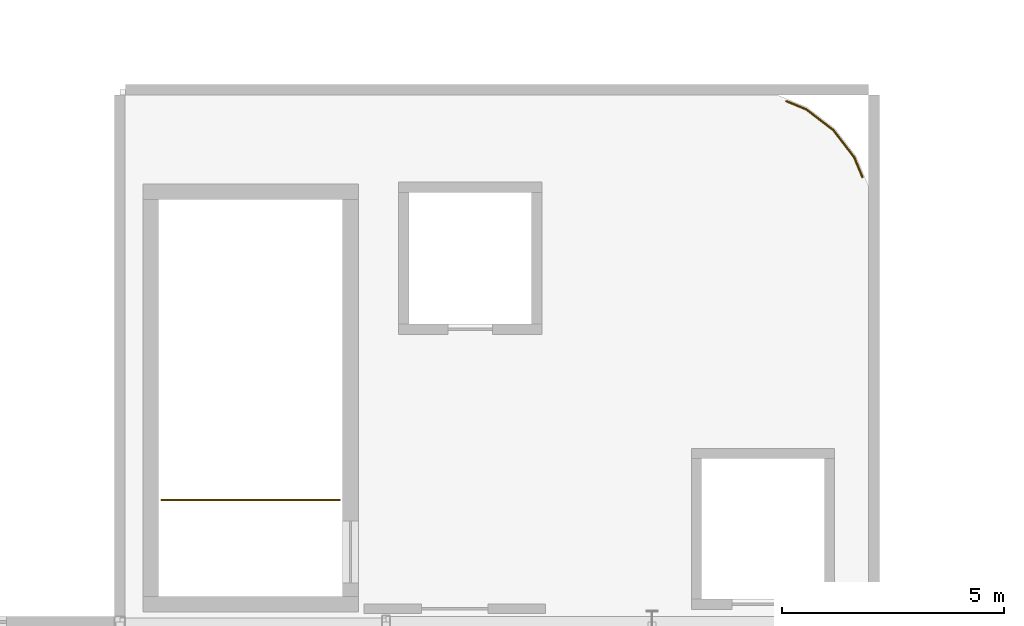
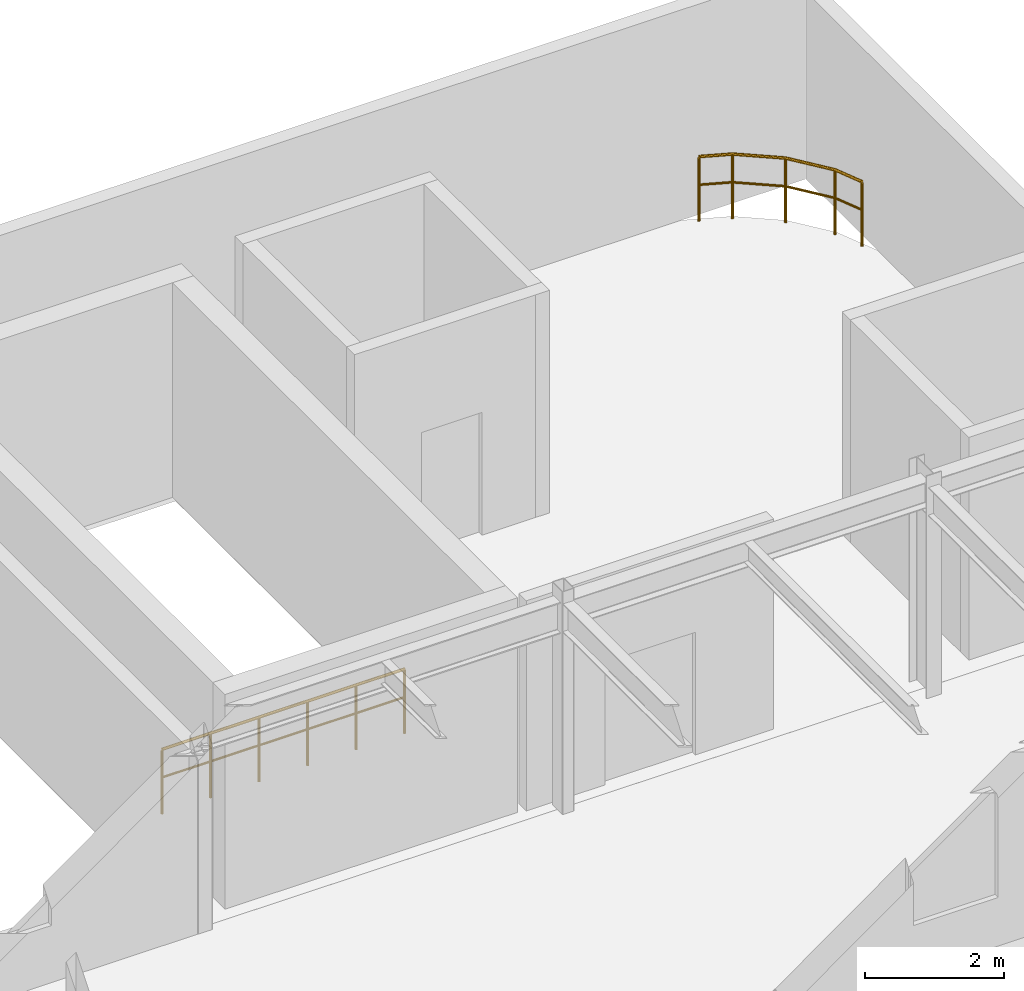
# One storey, part 60 of 63: 2 railings.
"""IFC4 building model written with IfcOpenShell, lengths in metres."""

from ifc_helpers import new_model, si_unit, direction, frame, origin, origin_2d, place, context, subcontext, project, spatial, circle, extrude, material, type_object, element, save


model = new_model("IFC4")

# Units and contexts
model_context = context("Model", 3, precision=1e-05, world=origin(), true_north=direction((0.0, 1.0)))
body_context = subcontext(model_context, "Body", "Model", "MODEL_VIEW")
ifc_project = project(units=[si_unit("LENGTHUNIT", "METRE"), si_unit("AREAUNIT", "SQUARE_METRE"), si_unit("VOLUMEUNIT", "CUBIC_METRE"), si_unit("PLANEANGLEUNIT", "RADIAN"), si_unit("MASSUNIT", "GRAM", prefix="KILO")], contexts=[model_context])

# Site, building, storey
site_placement = place(None, origin())
site = spatial("IfcSite", under=ifc_project, at=site_placement, CompositionType="ELEMENT")
building_placement = place(site_placement, origin())
building = spatial("IfcBuilding", under=site, at=building_placement, Name="Varnakota Square Police Headquarters", CompositionType="ELEMENT")
storey_placement = place(building_placement, frame((0.0, 0.0, 22.199951171875)))
storey = spatial("IfcBuildingStorey", under=building, at=storey_placement, Name="L05", CompositionType="ELEMENT", Elevation=22.199951171875)

# Railings
ifc_material_1 = material(Name="Galvanised Powder-Coated Steel Guardrail", Category="steel")
railing_type_1 = type_object("IfcRailingType", Name="RL-BAL-1150", PredefinedType="BALUSTRADE", material=ifc_material_1)
railing_1_placement = place(storey_placement, frame((33.02685546875, 74.739990234375, 0.0)))
element("IfcRailing", 1, at=railing_1_placement, inside=storey, type_object=railing_type_1, Name="Perimeter edge safety guard GD-AUTO-L05-089", PredefinedType="BALUSTRADE", context=body_context, shape_type="SweptSolid", body=[
    extrude(circle(Radius=0.02392578125, at=origin_2d()), frame((0.0, 0.0, 1.1259765625), z_axis=(0.923894108428, -0.382648241093, 0.0), x_axis=(0.382648241093, 0.923894108428, 0.0)), (0.0, 0.0, 1.0), 0.48486328125),
    extrude(circle(Radius=0.01806640625, at=origin_2d()), frame((0.0, 0.0, 0.63232421875), z_axis=(0.923894108428, -0.382648241093, 0.0), x_axis=(0.382648241093, 0.923894108428, 0.0)), (0.0, 0.0, 1.0), 0.48486328125),
    extrude(circle(Radius=0.02392578125, at=origin_2d()), frame((0.447998046875, -0.185546875, 1.1259765625), z_axis=(0.793330694412, -0.608790940556, 0.0), x_axis=(0.608790940556, 0.793330694412, 0.0)), (0.0, 0.0, 1.0), 0.77001953125),
    extrude(circle(Radius=0.01806640625, at=origin_2d()), frame((0.447998046875, -0.185546875, 0.63232421875), z_axis=(0.793330694412, -0.608790940556, 0.0), x_axis=(0.608790940556, 0.793330694412, 0.0)), (0.0, 0.0, 1.0), 0.77001953125),
    extrude(circle(Radius=0.02392578125, at=origin_2d()), frame((1.058837890625, -0.654296875, 1.1259765625), z_axis=(0.608790940556, -0.793330694412, 0.0), x_axis=(0.793330694412, 0.608790940556, 0.0)), (0.0, 0.0, 1.0), 0.77001953125),
    extrude(circle(Radius=0.01806640625, at=origin_2d()), frame((1.058837890625, -0.654296875, 0.63232421875), z_axis=(0.608790940556, -0.793330694412, 0.0), x_axis=(0.793330694412, 0.608790940556, 0.0)), (0.0, 0.0, 1.0), 0.77001953125),
    extrude(circle(Radius=0.02392578125, at=origin_2d()), frame((1.527587890625, -1.26513671875, 1.1259765625), z_axis=(0.382648241093, -0.923894108428, 0.0), x_axis=(0.923894108428, 0.382648241093, 0.0)), (0.0, 0.0, 1.0), 0.48486328125),
    extrude(circle(Radius=0.01806640625, at=origin_2d()), frame((1.527587890625, -1.26513671875, 0.63232421875), z_axis=(0.382648241093, -0.923894108428, 0.0), x_axis=(0.923894108428, 0.382648241093, 0.0)), (0.0, 0.0, 1.0), 0.48486328125),
    extrude(circle(Radius=0.02099609375, at=origin_2d()), origin(), (0.0, 0.0, 1.0), 1.101806640625),
    extrude(circle(Radius=0.02099609375, at=origin_2d()), frame((0.447998046875, -0.185546875, 0.0)), (0.0, 0.0, 1.0), 1.101806640625),
    extrude(circle(Radius=0.02099609375, at=origin_2d()), frame((1.058837890625, -0.654296875, 0.0)), (0.0, 0.0, 1.0), 1.101806640625),
    extrude(circle(Radius=0.02099609375, at=origin_2d()), frame((1.527587890625, -1.26513671875, 0.0)), (0.0, 0.0, 1.0), 1.101806640625),
    extrude(circle(Radius=0.02099609375, at=origin_2d()), frame((1.713134765625, -1.713134765625, 0.0)), (0.0, 0.0, 1.0), 1.101806640625),
])
ifc_material_2 = material(Name="Laminated Glass and Stainless Steel Balustrade", Category="steel")
railing_type_2 = type_object("IfcRailingType", Name="RL-INT-1150", PredefinedType="BALUSTRADE", material=ifc_material_2)
railing_2_placement = place(storey_placement, frame((18.93994140625, 65.75, 0.0)))
element("IfcRailing", 2, at=railing_2_placement, inside=storey, type_object=railing_type_2, Name="Stair well safety guard C5 L05", PredefinedType="BALUSTRADE", context=body_context, shape_type="SweptSolid", body=[
    extrude(circle(Radius=0.02392578125, at=origin_2d()), frame((0.0, 0.0, 1.1259765625), z_axis=(1.0, 0.0, 0.0), x_axis=(0.0, 1.0, 0.0)), (0.0, 0.0, 1.0), 4.02001953125),
    extrude(circle(Radius=0.01806640625, at=origin_2d()), frame((0.0, 0.0, 0.63232421875), z_axis=(1.0, 0.0, 0.0), x_axis=(0.0, 1.0, 0.0)), (0.0, 0.0, 1.0), 4.02001953125),
    extrude(circle(Radius=0.02099609375, at=origin_2d()), origin(), (0.0, 0.0, 1.0), 1.101806640625),
    extrude(circle(Radius=0.02099609375, at=origin_2d()), frame((0.803955078125, 0.0, 0.0)), (0.0, 0.0, 1.0), 1.101806640625),
    extrude(circle(Radius=0.02099609375, at=origin_2d()), frame((1.60791015625, 0.0, 0.0)), (0.0, 0.0, 1.0), 1.101806640625),
    extrude(circle(Radius=0.02099609375, at=origin_2d()), frame((2.412109375, 0.0, 0.0)), (0.0, 0.0, 1.0), 1.101806640625),
    extrude(circle(Radius=0.02099609375, at=origin_2d()), frame((3.216064453125, 0.0, 0.0)), (0.0, 0.0, 1.0), 1.101806640625),
    extrude(circle(Radius=0.02099609375, at=origin_2d()), frame((4.02001953125, 0.0, 0.0)), (0.0, 0.0, 1.0), 1.101806640625),
])

save(model, "model.ifc")
